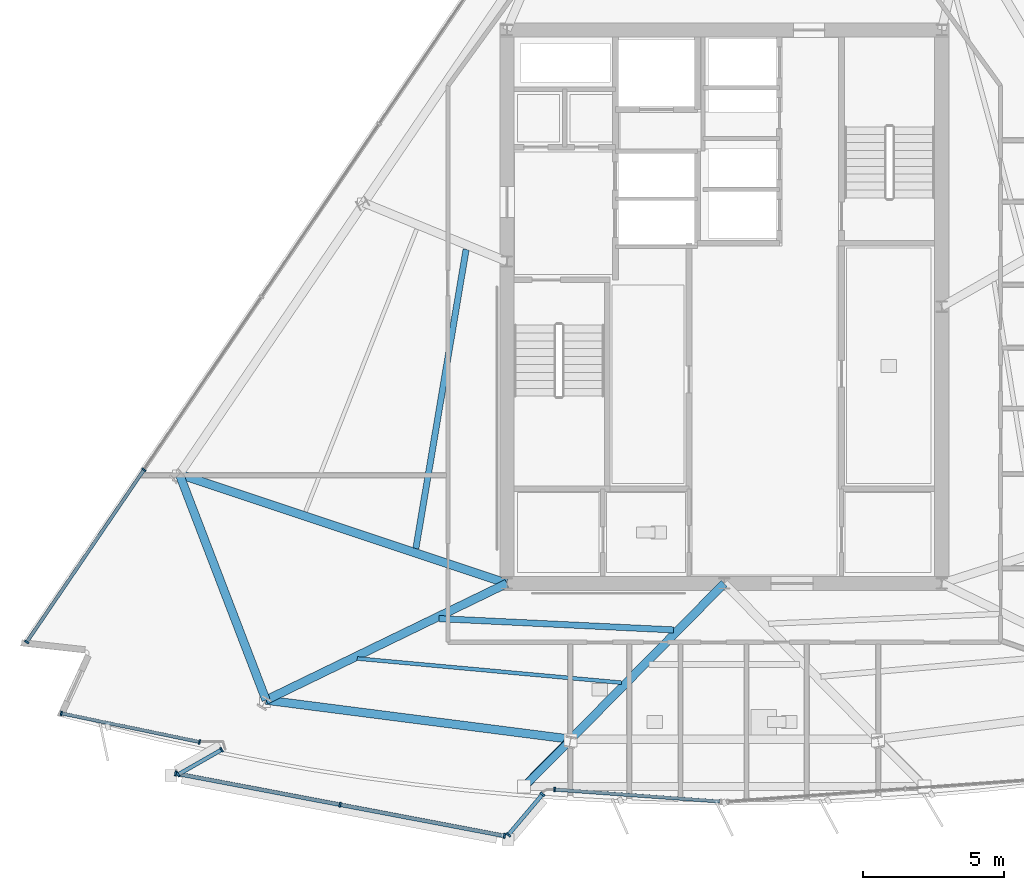
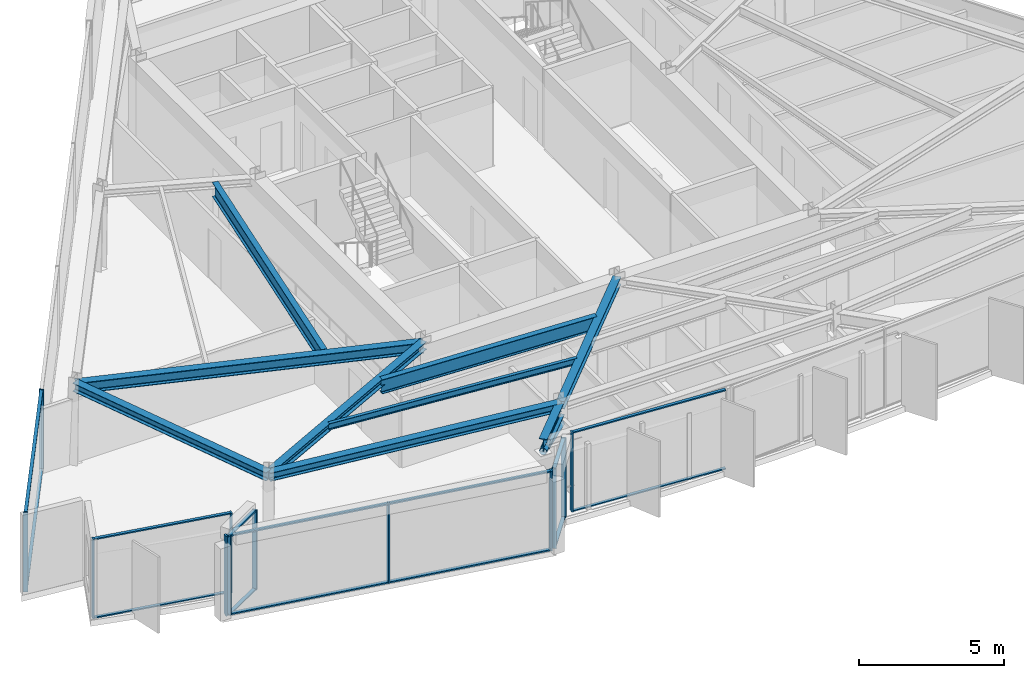
# One storey, part 2 of 14: 27 members, 9 beams, 6 elements without a shape of their own.
"""IFC4 building model written with IfcOpenShell, lengths in metres."""

from ifc_helpers import new_model, si_unit, direction, frame, origin, origin_2d, place, context, subcontext, project, spatial, rectangle, hollow_circle, i_section, extrude, material, material_profile, profile_set, type_object, element, aggregate, save


model = new_model("IFC4")

# Units and contexts
model_context = context("Model", 3, precision=1e-05, world=origin(), true_north=direction((0.0, 1.0)))
body_context = subcontext(model_context, "Body", "Model", "MODEL_VIEW")
ifc_project = project(units=[si_unit("LENGTHUNIT", "METRE"), si_unit("AREAUNIT", "SQUARE_METRE"), si_unit("VOLUMEUNIT", "CUBIC_METRE"), si_unit("PLANEANGLEUNIT", "RADIAN"), si_unit("MASSUNIT", "GRAM", prefix="KILO")], contexts=[model_context])

# Site, building, storey
site_placement = place(None, origin())
site = spatial("IfcSite", under=ifc_project, at=site_placement, CompositionType="ELEMENT")
building_placement = place(site_placement, origin())
building = spatial("IfcBuilding", under=site, at=building_placement, Name="Savorim Split Tower", CompositionType="ELEMENT")
storey_placement = place(building_placement, frame((0.0, 0.0, 230.699951171875)))
storey = spatial("IfcBuildingStorey", under=building, at=storey_placement, Name="L61", CompositionType="ELEMENT", Elevation=230.699951171875)

# Beams
ifc_material_1 = material(Name="Steel S355", Category="steel")
ifc_material_profile_1 = material_profile(ifc_material_1, i_section(OverallWidth=0.135009765625, OverallDepth=0.27001953125, WebThickness=0.006591796875, FlangeThickness=0.01025390625, FilletRadius=0.014892578125, at=origin_2d()), Name="IPE 270")
ifc_profile_set_1 = profile_set([ifc_material_profile_1], Name="Steel S355")
beam_type_1 = type_object("IfcBeamType", Name="BM-JST-IPE270", PredefinedType="JOIST", material=ifc_profile_set_1)
beam_1_placement = place(storey_placement, frame((-12.997314453125, -12.06005859375, 3.215087890625), z_axis=(0.995830787209, -0.091219752508, 0.0), x_axis=(0.091219752508, 0.995830787209, 0.0)))
element("IfcBeam", 1, at=beam_1_placement, inside=storey, type_object=beam_type_1, Name="L61 Secondary Floor Joist JS-01", PredefinedType="JOIST", context=body_context, shape_type="SweptSolid", body=[
    extrude(i_section(OverallWidth=0.135009765625, OverallDepth=0.27001953125, WebThickness=0.006591796875, FlangeThickness=0.01025390625, FilletRadius=0.014892578125, at=origin_2d()), origin(), (0.0, 0.0, 1.0), 9.396728515625),
])
ifc_material_profile_2 = material_profile(ifc_material_1, i_section(OverallWidth=0.219970703125, OverallDepth=0.60009765625, WebThickness=0.011962890625, FlangeThickness=0.01904296875, FilletRadius=0.02392578125, at=origin_2d()), Name="IPE 600")
ifc_profile_set_2 = profile_set([ifc_material_profile_2], Name="Steel S355")
beam_type_2 = type_object("IfcBeamType", Name="BM-JST-IPE600", PredefinedType="JOIST", material=ifc_profile_set_2)
beam_2_placement = place(storey_placement, frame((-10.097900390625, -10.647705078125, 3.050048828125), z_axis=(0.998841750478, -0.048116083618, 0.0), x_axis=(0.048116083618, 0.998841750478, 0.0)))
element("IfcBeam", 2, at=beam_2_placement, inside=storey, type_object=beam_type_2, Name="L61 Secondary Floor Joist JS-02", PredefinedType="JOIST", context=body_context, shape_type="SweptSolid", body=[
    extrude(i_section(OverallWidth=0.219970703125, OverallDepth=0.60009765625, WebThickness=0.011962890625, FlangeThickness=0.01904296875, FilletRadius=0.02392578125, at=origin_2d()), origin(), (0.0, 0.0, 1.0), 8.316162109375),
])
beam_3_placement = place(storey_placement, frame((-9.142333984375, 2.423828125, 3.050048828125), z_axis=(-0.165656801074, -0.986183463793, 0.0), x_axis=(0.986183463793, -0.165656801074, 0.0)))
element("IfcBeam", 3, at=beam_3_placement, inside=storey, type_object=beam_type_2, Name="L61 Secondary Floor Joist JS-11", PredefinedType="JOIST", context=body_context, shape_type="SweptSolid", body=[
    extrude(i_section(OverallWidth=0.219970703125, OverallDepth=0.60009765625, WebThickness=0.011962890625, FlangeThickness=0.01904296875, FilletRadius=0.02392578125, at=origin_2d()), origin(), (0.0, 0.0, 1.0), 10.73193359375),
])
ifc_material_profile_3 = material_profile(ifc_material_1, i_section(OverallWidth=0.300048828125, OverallDepth=0.320068359375, WebThickness=0.011474609375, FlangeThickness=0.0205078125, FilletRadius=0.027099609375, at=origin_2d()), Name="HEB 320")
ifc_profile_set_3 = profile_set([ifc_material_profile_3], Name="Steel S355")
beam_type_3 = type_object("IfcBeamType", Name="BM-PRI-HEB320", PredefinedType="BEAM", material=ifc_profile_set_3)
beam_4_placement = place(storey_placement, frame((-16.225830078125, -13.533447265625, 3.18994140625), z_axis=(0.899822996025, 0.436255172834, 0.0), x_axis=(-0.436255172834, 0.899822996025, 0.0)))
element("IfcBeam", 4, at=beam_4_placement, inside=storey, type_object=beam_type_3, Name="L61 Primary Floor Girder RG-01", PredefinedType="BEAM", context=body_context, shape_type="SweptSolid", body=[
    extrude(i_section(OverallWidth=0.300048828125, OverallDepth=0.320068359375, WebThickness=0.011474609375, FlangeThickness=0.0205078125, FilletRadius=0.027099609375, at=origin_2d()), origin(), (0.0, 0.0, 1.0), 9.47509765625),
])
beam_5_placement = place(storey_placement, frame((-5.43798828125, -14.91845703125, 3.18994140625), z_axis=(0.70188825942, 0.712287070842, 0.0), x_axis=(-0.712287070842, 0.70188825942, 0.0)))
element("IfcBeam", 5, at=beam_5_placement, inside=storey, type_object=beam_type_3, Name="L61 Primary Floor Girder RG-02", PredefinedType="BEAM", context=body_context, shape_type="SweptSolid", body=[
    extrude(i_section(OverallWidth=0.300048828125, OverallDepth=0.320068359375, WebThickness=0.011474609375, FlangeThickness=0.0205078125, FilletRadius=0.027099609375, at=origin_2d()), origin(), (0.0, 0.0, 1.0), 7.74755859375),
])
ifc_material_profile_4 = material_profile(ifc_material_1, i_section(OverallWidth=0.300048828125, OverallDepth=0.449951171875, WebThickness=0.013916015625, FlangeThickness=0.02587890625, FilletRadius=0.027099609375, at=origin_2d()), Name="HEB 450")
ifc_profile_set_4 = profile_set([ifc_material_profile_4], Name="Steel S355")
beam_type_4 = type_object("IfcBeamType", Name="BM-PRI-HEB450", PredefinedType="BEAM", material=ifc_profile_set_4)
beam_6_placement = place(storey_placement, frame((-19.295166015625, -5.534912109375, 3.125), z_axis=(0.948685295516, -0.316221773557, 0.0), x_axis=(0.316221773557, 0.948685295516, 0.0)))
element("IfcBeam", 6, at=beam_6_placement, inside=storey, type_object=beam_type_4, Name="L61 Primary Floor Girder RG-10", PredefinedType="BEAM", context=body_context, shape_type="SweptSolid", body=[
    extrude(i_section(OverallWidth=0.300048828125, OverallDepth=0.449951171875, WebThickness=0.013916015625, FlangeThickness=0.02587890625, FilletRadius=0.027099609375, at=origin_2d()), origin(), (0.0, 0.0, 1.0), 12.222412109375),
])
ifc_material_profile_5 = material_profile(ifc_material_1, i_section(OverallWidth=0.300048828125, OverallDepth=0.550048828125, WebThickness=0.014892578125, FlangeThickness=0.029052734375, FilletRadius=0.027099609375, at=origin_2d()), Name="HEB 550")
ifc_profile_set_5 = profile_set([ifc_material_profile_5], Name="Steel S355")
beam_type_5 = type_object("IfcBeamType", Name="BM-PRI-HEB550", PredefinedType="BEAM", material=ifc_profile_set_5)
beam_7_placement = place(storey_placement, frame((-5.43798828125, -14.91845703125, 3.074951171875), z_axis=(-0.701945813053, -0.712230352862, 0.0), x_axis=(0.712230352862, -0.701945813053, 0.0)))
element("IfcBeam", 7, at=beam_7_placement, inside=storey, type_object=beam_type_5, Name="L61 Cantilevered Lounge Rib 1", PredefinedType="BEAM", context=body_context, shape_type="SweptSolid", body=[
    extrude(i_section(OverallWidth=0.300048828125, OverallDepth=0.550048828125, WebThickness=0.014892578125, FlangeThickness=0.029052734375, FilletRadius=0.027099609375, at=origin_2d()), origin(), (0.0, 0.0, 1.0), 2.35009765625),
])
ifc_material_profile_6 = material_profile(ifc_material_1, i_section(OverallWidth=0.300048828125, OverallDepth=0.35009765625, WebThickness=0.010009765625, FlangeThickness=0.017578125, FilletRadius=0.027099609375, at=origin_2d()), Name="HEA 360")
ifc_profile_set_6 = profile_set([ifc_material_profile_6], Name="Steel S355")
beam_type_6 = type_object("IfcBeamType", Name="BM-SPN-HEA360", PredefinedType="SPANDREL", material=ifc_profile_set_6)
beam_8_placement = place(storey_placement, frame((-16.225830078125, -13.533447265625, 3.175048828125), z_axis=(0.991858998831, -0.127340984913, 0.0), x_axis=(0.127340984913, 0.991858998831, 0.0)))
element("IfcBeam", 8, at=beam_8_placement, inside=storey, type_object=beam_type_6, Name="L61 Perimeter Spandrel Beam 1", PredefinedType="SPANDREL", context=body_context, shape_type="SweptSolid", body=[
    extrude(i_section(OverallWidth=0.300048828125, OverallDepth=0.35009765625, WebThickness=0.010009765625, FlangeThickness=0.017578125, FilletRadius=0.027099609375, at=origin_2d()), origin(), (0.0, 0.0, 1.0), 10.87646484375),
])
beam_9_placement = place(storey_placement, frame((-19.295166015625, -5.534912109375, 3.175048828125), z_axis=(0.358264785514, -0.933620020919, 0.0), x_axis=(0.933620020919, 0.358264785514, 0.0)))
element("IfcBeam", 9, at=beam_9_placement, inside=storey, type_object=beam_type_6, Name="L61 Perimeter Spandrel Beam 10", PredefinedType="SPANDREL", context=body_context, shape_type="SweptSolid", body=[
    extrude(i_section(OverallWidth=0.300048828125, OverallDepth=0.35009765625, WebThickness=0.010009765625, FlangeThickness=0.017578125, FilletRadius=0.027099609375, at=origin_2d()), origin(), (0.0, 0.0, 1.0), 8.567138671875),
])

# Curtain wall, members
ifc_material_2 = material(Name="Dark Ceramic-Fritted Insulated Glass", Category="glass")
curtain_wall_type_1 = type_object("IfcCurtainWallType", Name="CW-TWR-FRIT-B", PredefinedType="NOTDEFINED", material=ifc_material_2)
curtain_wall_1_placement = place(storey_placement, origin())
curtain_wall_1 = element("IfcCurtainWall", 10, at=curtain_wall_1_placement, inside=storey, type_object=curtain_wall_type_1, Name="L61 Curtain Wall CW-L61-SF1A", PredefinedType="NOTDEFINED")
ifc_material_3 = material(Name="Charcoal Anodised Aluminium", Category="aluminium")
ifc_material_profile_7 = material_profile(ifc_material_3, rectangle(XDim=0.159912109375, YDim=0.06005859375, at=origin_2d()), Name="ALU-M 160x60")
ifc_profile_set_7 = profile_set([ifc_material_profile_7], Name="Charcoal Anodised Aluminium")
member_type_1 = type_object("IfcMemberType", Name="CWM-160x60", PredefinedType="MULLION", material=ifc_profile_set_7)
member_1_placement = place(storey_placement, frame((-23.47705078125, -14.0, 0.0), z_axis=(0.0, 0.0, 1.0), x_axis=(0.203212165958, 0.979134728016, 0.0)))
member_1 = element("IfcMember", 11, at=member_1_placement, type_object=member_type_1, Name="CW-03 mullion 1", PredefinedType="MULLION", context=body_context, shape_type="SweptSolid", body=[
    extrude(rectangle(XDim=0.159912109375, YDim=0.06005859375, at=origin_2d()), origin(), (0.0, 0.0, 1.0), 3.35009765625),
])
member_2_placement = place(storey_placement, frame((-18.582763671875, -15.015869140625, 0.0), z_axis=(0.0, 0.0, 1.0), x_axis=(0.203212165958, 0.979134728016, 0.0)))
member_2 = element("IfcMember", 12, at=member_2_placement, type_object=member_type_1, Name="CW-03 mullion 2", PredefinedType="MULLION", context=body_context, shape_type="SweptSolid", body=[
    extrude(rectangle(XDim=0.159912109375, YDim=0.06005859375, at=origin_2d()), origin(), (0.0, 0.0, 1.0), 3.35009765625),
])

# Curtain wall, member
curtain_wall_2_placement = place(storey_placement, origin())
curtain_wall_2 = element("IfcCurtainWall", 13, at=curtain_wall_2_placement, inside=storey, type_object=curtain_wall_type_1, Name="L61 Curtain Wall CW-L61-SF2A", PredefinedType="NOTDEFINED")
member_3_placement = place(storey_placement, frame((-6.009521484375, -16.701416015625, 0.0), z_axis=(0.0, 0.0, 1.0), x_axis=(0.071567603964, 0.997435751346, 0.0)))
member_3 = element("IfcMember", 14, at=member_3_placement, type_object=member_type_1, Name="CW-03 mullion 1", PredefinedType="MULLION", context=body_context, shape_type="SweptSolid", body=[
    extrude(rectangle(XDim=0.159912109375, YDim=0.06005859375, at=origin_2d()), origin(), (0.0, 0.0, 1.0), 3.35009765625),
])

# Curtain wall, members
curtain_wall_3_placement = place(storey_placement, origin())
curtain_wall_3 = element("IfcCurtainWall", 15, at=curtain_wall_3_placement, inside=storey, type_object=curtain_wall_type_1, Name="L61 Curtain Wall CW-L61-WEST", PredefinedType="NOTDEFINED")
member_4_placement = place(storey_placement, frame((-20.5498046875, -5.375732421875, 0.0), z_axis=(0.0, 0.0, 1.0), x_axis=(0.826820024782, -0.562466573779, 0.0)))
member_4 = element("IfcMember", 16, at=member_4_placement, type_object=member_type_1, Name="CW-03 mullion 4", PredefinedType="MULLION", context=body_context, shape_type="SweptSolid", body=[
    extrude(rectangle(XDim=0.159912109375, YDim=0.06005859375, at=origin_2d()), origin(), (0.0, 0.0, 1.0), 3.35009765625),
])
member_5_placement = place(storey_placement, frame((-24.699462890625, -11.4755859375, 0.0), z_axis=(0.0, 0.0, 1.0), x_axis=(0.826820024782, -0.562466573779, 0.0)))
member_5 = element("IfcMember", 17, at=member_5_placement, type_object=member_type_1, Name="CW-03 mullion 5", PredefinedType="MULLION", context=body_context, shape_type="SweptSolid", body=[
    extrude(rectangle(XDim=0.159912109375, YDim=0.06005859375, at=origin_2d()), origin(), (0.0, 0.0, 1.0), 3.35009765625),
])

curtain_wall_type_2 = type_object("IfcCurtainWallType", Name="CW-BAY-LOUNGE", PredefinedType="NOTDEFINED", material=ifc_material_2)
curtain_wall_4_placement = place(storey_placement, origin())
curtain_wall_4 = element("IfcCurtainWall", 18, at=curtain_wall_4_placement, inside=storey, type_object=curtain_wall_type_2, Name="L61 Curtain Wall CW-L61-BAYF", PredefinedType="NOTDEFINED")
ifc_material_profile_8 = material_profile(ifc_material_3, rectangle(XDim=0.179931640625, YDim=0.06494140625, at=origin_2d()), Name="ALU-M 180x65")
ifc_profile_set_8 = profile_set([ifc_material_profile_8], Name="Charcoal Anodised Aluminium")
member_type_2 = type_object("IfcMemberType", Name="CWM-180x65", PredefinedType="MULLION", material=ifc_profile_set_8)
member_6_placement = place(storey_placement, frame((-19.42578125, -16.13037109375, 0.0), z_axis=(0.0, 0.0, 1.0), x_axis=(0.186567075437, 0.982442225458, 0.0)))
member_6 = element("IfcMember", 19, at=member_6_placement, type_object=member_type_2, Name="CW-04 mullion 1", PredefinedType="MULLION", context=body_context, shape_type="SweptSolid", body=[
    extrude(rectangle(XDim=0.179931640625, YDim=0.06494140625, at=origin_2d()), origin(), (0.0, 0.0, 1.0), 3.35009765625),
])
member_7_placement = place(storey_placement, frame((-13.60546875, -17.235595703125, 0.0), z_axis=(0.0, 0.0, 1.0), x_axis=(0.186567075437, 0.982442225458, 0.0)))
member_7 = element("IfcMember", 20, at=member_7_placement, type_object=member_type_2, Name="CW-04 mullion 2", PredefinedType="MULLION", context=body_context, shape_type="SweptSolid", body=[
    extrude(rectangle(XDim=0.179931640625, YDim=0.06494140625, at=origin_2d()), origin(), (0.0, 0.0, 1.0), 3.35009765625),
])
member_8_placement = place(storey_placement, frame((-7.78515625, -18.3408203125, 0.0), z_axis=(0.0, 0.0, 1.0), x_axis=(0.186567075437, 0.982442225458, 0.0)))
member_8 = element("IfcMember", 21, at=member_8_placement, type_object=member_type_2, Name="CW-04 mullion 3", PredefinedType="MULLION", context=body_context, shape_type="SweptSolid", body=[
    extrude(rectangle(XDim=0.179931640625, YDim=0.06494140625, at=origin_2d()), origin(), (0.0, 0.0, 1.0), 3.35009765625),
])

curtain_wall_5_placement = place(storey_placement, origin())
curtain_wall_5 = element("IfcCurtainWall", 22, at=curtain_wall_5_placement, inside=storey, type_object=curtain_wall_type_2, Name="L61 Curtain Wall CW-L61-BAYW", PredefinedType="NOTDEFINED")
member_9_placement = place(storey_placement, frame((-17.8017578125, -15.29052734375, 0.0), z_axis=(0.0, 0.0, 1.0), x_axis=(0.49632671971, -0.868135811554, 0.0)))
member_9 = element("IfcMember", 23, at=member_9_placement, type_object=member_type_2, Name="CW-04 mullion 1", PredefinedType="MULLION", context=body_context, shape_type="SweptSolid", body=[
    extrude(rectangle(XDim=0.179931640625, YDim=0.06494140625, at=origin_2d()), origin(), (0.0, 0.0, 1.0), 3.35009765625),
])
member_10_placement = place(storey_placement, frame((-19.33837890625, -16.169189453125, 0.0), z_axis=(0.0, 0.0, 1.0), x_axis=(0.49632671971, -0.868135811554, 0.0)))
member_10 = element("IfcMember", 24, at=member_10_placement, type_object=member_type_2, Name="CW-04 mullion 2", PredefinedType="MULLION", context=body_context, shape_type="SweptSolid", body=[
    extrude(rectangle(XDim=0.179931640625, YDim=0.06494140625, at=origin_2d()), origin(), (0.0, 0.0, 1.0), 3.35009765625),
])

curtain_wall_6_placement = place(storey_placement, origin())
curtain_wall_6 = element("IfcCurtainWall", 25, at=curtain_wall_6_placement, inside=storey, type_object=curtain_wall_type_2, Name="L61 Curtain Wall CW-L61-BAYE", PredefinedType="NOTDEFINED")
member_11_placement = place(storey_placement, frame((-7.64501953125, -18.3017578125, 0.0), z_axis=(0.0, 0.0, 1.0), x_axis=(-0.764175565711, 0.645008298218, 0.0)))
member_11 = element("IfcMember", 26, at=member_11_placement, type_object=member_type_2, Name="CW-04 mullion 1", PredefinedType="MULLION", context=body_context, shape_type="SweptSolid", body=[
    extrude(rectangle(XDim=0.179931640625, YDim=0.06494140625, at=origin_2d()), origin(), (0.0, 0.0, 1.0), 3.35009765625),
])
member_12_placement = place(storey_placement, frame((-6.435546875, -16.868896484375, 0.0), z_axis=(0.0, 0.0, 1.0), x_axis=(-0.764175565711, 0.645008298218, 0.0)))
member_12 = element("IfcMember", 27, at=member_12_placement, type_object=member_type_2, Name="CW-04 mullion 2", PredefinedType="MULLION", context=body_context, shape_type="SweptSolid", body=[
    extrude(rectangle(XDim=0.179931640625, YDim=0.06494140625, at=origin_2d()), origin(), (0.0, 0.0, 1.0), 3.35009765625),
])

# Member
ifc_material_profile_9 = material_profile(ifc_material_3, rectangle(XDim=0.1201171875, YDim=0.050048828125, at=origin_2d()), Name="ALU-T 120x50")
ifc_profile_set_9 = profile_set([ifc_material_profile_9], Name="Charcoal Anodised Aluminium")
member_type_3 = type_object("IfcMemberType", Name="CWT-120x50", PredefinedType="USERDEFINED", material=ifc_profile_set_9)
member_13_placement = place(storey_placement, frame((-23.44775390625, -14.006103515625, 0.025146484375), z_axis=(0.979132723929, -0.203221821986, 0.0), x_axis=(0.203221821986, 0.979132723929, 0.0)))
member_13 = element("IfcMember", 28, at=member_13_placement, type_object=member_type_3, Name="CW-03 transom 1.1", ObjectType="TRANSOM", PredefinedType="USERDEFINED", context=body_context, shape_type="SweptSolid", body=[
    extrude(rectangle(XDim=0.1201171875, YDim=0.050048828125, at=origin_2d()), origin(), (0.0, 0.0, 1.0), 4.938720703125),
])

member_14_placement = place(storey_placement, frame((-23.44775390625, -14.006103515625, 3.324951171875), z_axis=(0.979132723929, -0.203221821986, 0.0), x_axis=(0.203221821986, 0.979132723929, 0.0)))
member_14 = element("IfcMember", 29, at=member_14_placement, type_object=member_type_3, Name="CW-03 transom 1.2", ObjectType="TRANSOM", PredefinedType="USERDEFINED", context=body_context, shape_type="SweptSolid", body=[
    extrude(rectangle(XDim=0.1201171875, YDim=0.050048828125, at=origin_2d()), origin(), (0.0, 0.0, 1.0), 4.938720703125),
])

aggregate(curtain_wall_1, [member_1, member_2, member_13, member_14])

member_15_placement = place(storey_placement, frame((-5.979736328125, -16.70361328125, 0.025146484375), z_axis=(0.997435743975, -0.071567706686, 0.0), x_axis=(0.071567706686, 0.997435743975, 0.0)))
member_15 = element("IfcMember", 30, at=member_15_placement, type_object=member_type_3, Name="CW-03 transom 1.1", ObjectType="TRANSOM", PredefinedType="USERDEFINED", context=body_context, shape_type="SweptSolid", body=[
    extrude(rectangle(XDim=0.1201171875, YDim=0.050048828125, at=origin_2d()), origin(), (0.0, 0.0, 1.0), 5.843505859375),
])

member_16_placement = place(storey_placement, frame((-5.979736328125, -16.70361328125, 3.324951171875), z_axis=(0.997435743975, -0.071567706686, 0.0), x_axis=(0.071567706686, 0.997435743975, 0.0)))
member_16 = element("IfcMember", 31, at=member_16_placement, type_object=member_type_3, Name="CW-03 transom 1.2", ObjectType="TRANSOM", PredefinedType="USERDEFINED", context=body_context, shape_type="SweptSolid", body=[
    extrude(rectangle(XDim=0.1201171875, YDim=0.050048828125, at=origin_2d()), origin(), (0.0, 0.0, 1.0), 5.843505859375),
])

aggregate(curtain_wall_2, [member_3, member_15, member_16])

member_17_placement = place(storey_placement, frame((-20.566650390625, -5.400390625, 0.025146484375), z_axis=(-0.562475185049, -0.826814166669, 0.0), x_axis=(0.826814166669, -0.562475185049, 0.0)))
member_17 = element("IfcMember", 32, at=member_17_placement, type_object=member_type_3, Name="CW-03 transom 4.1", ObjectType="TRANSOM", PredefinedType="USERDEFINED", context=body_context, shape_type="SweptSolid", body=[
    extrude(rectangle(XDim=0.1201171875, YDim=0.050048828125, at=origin_2d()), origin(), (0.0, 0.0, 1.0), 7.317626953125),
])

member_18_placement = place(storey_placement, frame((-20.566650390625, -5.400390625, 3.324951171875), z_axis=(-0.562475185049, -0.826814166669, 0.0), x_axis=(0.826814166669, -0.562475185049, 0.0)))
member_18 = element("IfcMember", 33, at=member_18_placement, type_object=member_type_3, Name="CW-03 transom 4.2", ObjectType="TRANSOM", PredefinedType="USERDEFINED", context=body_context, shape_type="SweptSolid", body=[
    extrude(rectangle(XDim=0.1201171875, YDim=0.050048828125, at=origin_2d()), origin(), (0.0, 0.0, 1.0), 7.317626953125),
])

aggregate(curtain_wall_3, [member_4, member_5, member_17, member_18])

ifc_material_profile_10 = material_profile(ifc_material_3, rectangle(XDim=0.139892578125, YDim=0.054931640625, at=origin_2d()), Name="ALU-T 140x55")
ifc_profile_set_10 = profile_set([ifc_material_profile_10], Name="Charcoal Anodised Aluminium")
member_type_4 = type_object("IfcMemberType", Name="CWT-140x55", PredefinedType="USERDEFINED", material=ifc_profile_set_10)
member_19_placement = place(storey_placement, frame((-19.39404296875, -16.136474609375, 0.027587890625), z_axis=(0.982447442896, -0.186539598874, 0.0), x_axis=(0.186539598874, 0.982447442896, 0.0)))
member_19 = element("IfcMember", 34, at=member_19_placement, type_object=member_type_4, Name="CW-04 transom 1.1", ObjectType="TRANSOM", PredefinedType="USERDEFINED", context=body_context, shape_type="SweptSolid", body=[
    extrude(rectangle(XDim=0.139892578125, YDim=0.054931640625, at=origin_2d()), origin(), (0.0, 0.0, 1.0), 5.859375),
])

member_20_placement = place(storey_placement, frame((-19.39404296875, -16.136474609375, 3.322509765625), z_axis=(0.982447442896, -0.186539598874, 0.0), x_axis=(0.186539598874, 0.982447442896, 0.0)))
member_20 = element("IfcMember", 35, at=member_20_placement, type_object=member_type_4, Name="CW-04 transom 1.2", ObjectType="TRANSOM", PredefinedType="USERDEFINED", context=body_context, shape_type="SweptSolid", body=[
    extrude(rectangle(XDim=0.139892578125, YDim=0.054931640625, at=origin_2d()), origin(), (0.0, 0.0, 1.0), 5.859375),
])

member_21_placement = place(storey_placement, frame((-13.57373046875, -17.24169921875, 0.027587890625), z_axis=(0.98243980616, -0.18657981475, 0.0), x_axis=(0.18657981475, 0.98243980616, 0.0)))
member_21 = element("IfcMember", 36, at=member_21_placement, type_object=member_type_4, Name="CW-04 transom 2.1", ObjectType="TRANSOM", PredefinedType="USERDEFINED", context=body_context, shape_type="SweptSolid", body=[
    extrude(rectangle(XDim=0.139892578125, YDim=0.054931640625, at=origin_2d()), origin(), (0.0, 0.0, 1.0), 5.859375),
])

member_22_placement = place(storey_placement, frame((-13.57373046875, -17.24169921875, 3.322509765625), z_axis=(0.98243980616, -0.18657981475, 0.0), x_axis=(0.18657981475, 0.98243980616, 0.0)))
member_22 = element("IfcMember", 37, at=member_22_placement, type_object=member_type_4, Name="CW-04 transom 2.2", ObjectType="TRANSOM", PredefinedType="USERDEFINED", context=body_context, shape_type="SweptSolid", body=[
    extrude(rectangle(XDim=0.139892578125, YDim=0.054931640625, at=origin_2d()), origin(), (0.0, 0.0, 1.0), 5.859375),
])

aggregate(curtain_wall_4, [member_6, member_7, member_8, member_19, member_20, member_21, member_22])

member_23_placement = place(storey_placement, frame((-17.830078125, -15.306640625, 0.027587890625), z_axis=(-0.86809331546, -0.496401043163, 0.0), x_axis=(0.496401043163, -0.86809331546, 0.0)))
member_23 = element("IfcMember", 38, at=member_23_placement, type_object=member_type_4, Name="CW-04 transom 1.1", ObjectType="TRANSOM", PredefinedType="USERDEFINED", context=body_context, shape_type="SweptSolid", body=[
    extrude(rectangle(XDim=0.139892578125, YDim=0.054931640625, at=origin_2d()), origin(), (0.0, 0.0, 1.0), 1.705078125),
])

member_24_placement = place(storey_placement, frame((-17.830078125, -15.306640625, 3.322509765625), z_axis=(-0.86809331546, -0.496401043163, 0.0), x_axis=(0.496401043163, -0.86809331546, 0.0)))
member_24 = element("IfcMember", 39, at=member_24_placement, type_object=member_type_4, Name="CW-04 transom 1.2", ObjectType="TRANSOM", PredefinedType="USERDEFINED", context=body_context, shape_type="SweptSolid", body=[
    extrude(rectangle(XDim=0.139892578125, YDim=0.054931640625, at=origin_2d()), origin(), (0.0, 0.0, 1.0), 1.705078125),
])

aggregate(curtain_wall_5, [member_9, member_10, member_23, member_24])

member_25_placement = place(storey_placement, frame((-7.6240234375, -18.277099609375, 0.027587890625), z_axis=(0.644974340374, 0.7642042268, 0.0), x_axis=(-0.7642042268, 0.644974340374, 0.0)))
member_25 = element("IfcMember", 40, at=member_25_placement, type_object=member_type_4, Name="CW-04 transom 1.1", ObjectType="TRANSOM", PredefinedType="USERDEFINED", context=body_context, shape_type="SweptSolid", body=[
    extrude(rectangle(XDim=0.139892578125, YDim=0.054931640625, at=origin_2d()), origin(), (0.0, 0.0, 1.0), 1.81005859375),
])

member_26_placement = place(storey_placement, frame((-7.6240234375, -18.277099609375, 3.322509765625), z_axis=(0.644974340374, 0.7642042268, 0.0), x_axis=(-0.7642042268, 0.644974340374, 0.0)))
member_26 = element("IfcMember", 41, at=member_26_placement, type_object=member_type_4, Name="CW-04 transom 1.2", ObjectType="TRANSOM", PredefinedType="USERDEFINED", context=body_context, shape_type="SweptSolid", body=[
    extrude(rectangle(XDim=0.139892578125, YDim=0.054931640625, at=origin_2d()), origin(), (0.0, 0.0, 1.0), 1.81005859375),
])

aggregate(curtain_wall_6, [member_11, member_12, member_25, member_26])

ifc_material_profile_11 = material_profile(ifc_material_1, hollow_circle(Radius=0.136474609375, WallThickness=0.01611328125, at=origin_2d()), Name="CHS 273x16")
ifc_profile_set_11 = profile_set([ifc_material_profile_11], Name="Steel S355")
member_type_5 = type_object("IfcMemberType", Name="MBR-CRN-CHS273", PredefinedType="BRACE", material=ifc_profile_set_11)
member_27_placement = place(storey_placement, frame((-5.446044921875, -14.958984375, 2.449951171875), z_axis=(-0.700012195308, -0.696472573856, 0.157825474135), x_axis=(0.705312236537, -0.708896783031, 0.0)))
element("IfcMember", 42, at=member_27_placement, inside=storey, type_object=member_type_5, Name="L61 Cantilevered Bay Support Strut 1", PredefinedType="BRACE", context=body_context, shape_type="SweptSolid", body=[
    extrude(hollow_circle(Radius=0.136474609375, WallThickness=0.01611328125, at=origin_2d()), origin(), (0.0, 0.0, 1.0), 2.34521484375),
])

save(model, "model.ifc")
